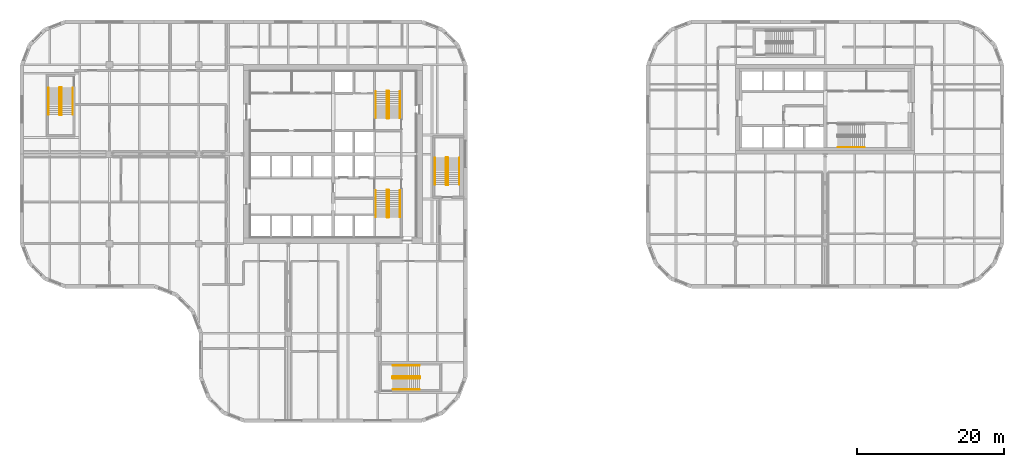
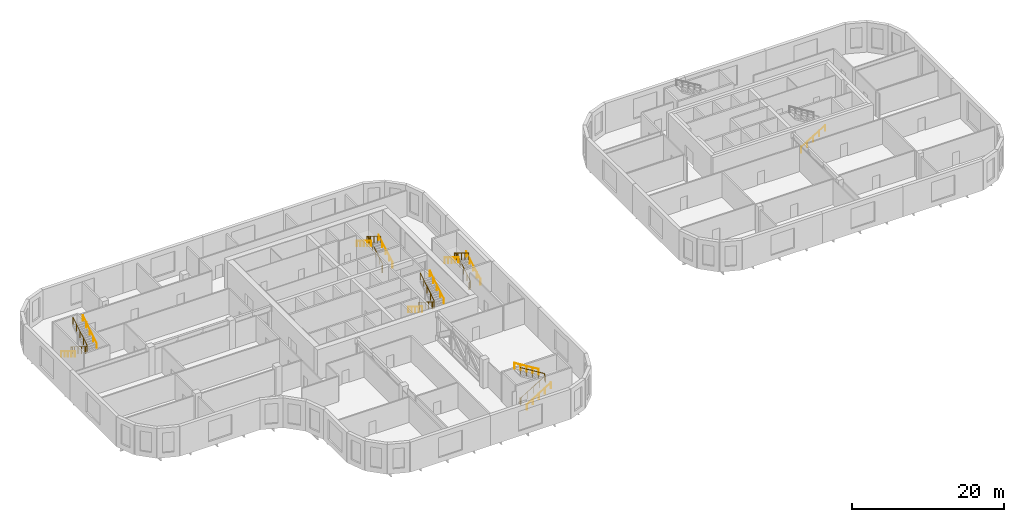
# One storey, part 20 of 21: 16 railings.
"""IFC4 building model written with IfcOpenShell, lengths in metres."""

from ifc_helpers import new_model, si_unit, direction, frame, origin, origin_2d, place, context, subcontext, project, spatial, circle, extrude, material, type_object, element, save


model = new_model("IFC4")

# Units and contexts
model_context = context("Model", 3, precision=1e-05, world=origin(), true_north=direction((0.0, 1.0)))
body_context = subcontext(model_context, "Body", "Model", "MODEL_VIEW")
ifc_project = project(units=[si_unit("LENGTHUNIT", "METRE"), si_unit("AREAUNIT", "SQUARE_METRE"), si_unit("VOLUMEUNIT", "CUBIC_METRE"), si_unit("PLANEANGLEUNIT", "RADIAN"), si_unit("MASSUNIT", "GRAM", prefix="KILO")], contexts=[model_context])

# Site, building, storey
site_placement = place(None, origin())
site = spatial("IfcSite", under=ifc_project, at=site_placement, CompositionType="ELEMENT")
building_placement = place(site_placement, origin())
building = spatial("IfcBuilding", under=site, at=building_placement, Name="Tessera Gate Towers", CompositionType="ELEMENT")
storey_placement = place(building_placement, frame((0.0, 0.0, 63.800048828125)))
storey = spatial("IfcBuildingStorey", under=building, at=storey_placement, Name="L15", CompositionType="ELEMENT", Elevation=63.800048828125)

# Railings
ifc_material_1 = material(Name="Steel 350W", Category="steel")
railing_type_1 = type_object("IfcRailingType", Name="STAIR GUARD 1100", PredefinedType="GUARDRAIL", material=ifc_material_1)
railing_1_placement = place(storey_placement, frame((50.27490234375, 31.72509765625, 0.0)))
element("IfcRailing", 1, at=railing_1_placement, inside=storey, type_object=railing_type_1, Name="L15 ST1 stair guard 1", PredefinedType="GUARDRAIL", context=body_context, shape_type="SweptSolid", body=[
    extrude(circle(Radius=0.02392578125, at=origin_2d()), frame((0.0, 0.0, 1.076171875), z_axis=(-1.0, 0.0, 0.0), x_axis=(0.0, -1.0, 0.0)), (0.0, 0.0, 1.0), 0.199951171875),
    extrude(circle(Radius=0.02392578125, at=origin_2d()), frame((-0.199951171875, 0.0, 1.076171875), z_axis=(-0.269911200495, -0.269911200495, 0.924281281696), x_axis=(0.707106781187, -0.707106781187, 0.0)), (0.0, 0.0, 1.0), 0.185546875),
    extrude(circle(Radius=0.02392578125, at=origin_2d()), frame((-0.25, -0.050048828125, 1.24755859375), z_axis=(0.0, -0.852865859571, 0.52213008492), x_axis=(1.0, 0.0, 0.0)), (0.0, 0.0, 1.0), 4.26806640625),
    extrude(circle(Radius=0.02392578125, at=origin_2d()), frame((-0.25, -3.690185546875, 3.47607421875), z_axis=(0.708833529934, -0.705375805398, 0.0), x_axis=(0.705375805398, 0.708833529934, 0.0)), (0.0, 0.0, 1.0), 0.070556640625),
    extrude(circle(Radius=0.02392578125, at=origin_2d()), frame((-0.199951171875, -3.739990234375, 3.47607421875), z_axis=(1.0, 0.0, 0.0), x_axis=(0.0, 1.0, 0.0)), (0.0, 0.0, 1.0), 0.199951171875),
    extrude(circle(Radius=0.02392578125, at=origin_2d()), frame((0.0, -3.739990234375, 3.47607421875), z_axis=(0.270006937388, 0.268689830376, 0.924609122178), x_axis=(-0.705375805398, 0.708833529934, 0.0)), (0.0, 0.0, 1.0), 0.185302734375),
    extrude(circle(Radius=0.02392578125, at=origin_2d()), frame((0.050048828125, -3.690185546875, 3.6474609375), z_axis=(0.0, 0.852840387347, 0.522171689878), x_axis=(-1.0, 0.0, 0.0)), (0.0, 0.0, 1.0), 4.268310546875),
    extrude(circle(Radius=0.02099609375, at=origin_2d()), origin(), (0.0, 0.0, 1.0), 1.052001953125),
    extrude(circle(Radius=0.02099609375, at=origin_2d()), frame((-0.199951171875, 0.0, 0.0)), (0.0, 0.0, 1.0), 1.052001953125),
    extrude(circle(Radius=0.02099609375, at=origin_2d()), frame((-0.25, -0.050048828125, 0.17138671875)), (0.0, 0.0, 1.0), 1.052001953125),
    extrude(circle(Radius=0.02099609375, at=origin_2d()), frame((-0.25, -0.9599609375, 0.728515625)), (0.0, 0.0, 1.0), 1.052001953125),
    extrude(circle(Radius=0.02099609375, at=origin_2d()), frame((-0.25, -1.8701171875, 1.28564453125)), (0.0, 0.0, 1.0), 1.052001953125),
    extrude(circle(Radius=0.02099609375, at=origin_2d()), frame((-0.25, -2.7802734375, 1.8427734375)), (0.0, 0.0, 1.0), 1.052001953125),
    extrude(circle(Radius=0.02099609375, at=origin_2d()), frame((-0.25, -3.690185546875, 2.39990234375)), (0.0, 0.0, 1.0), 1.052001953125),
    extrude(circle(Radius=0.02099609375, at=origin_2d()), frame((-0.199951171875, -3.739990234375, 2.39990234375)), (0.0, 0.0, 1.0), 1.052001953125),
    extrude(circle(Radius=0.02099609375, at=origin_2d()), frame((0.0, -3.739990234375, 2.39990234375)), (0.0, 0.0, 1.0), 1.052001953125),
    extrude(circle(Radius=0.02099609375, at=origin_2d()), frame((0.050048828125, -3.690185546875, 2.5712890625)), (0.0, 0.0, 1.0), 1.052001953125),
    extrude(circle(Radius=0.02099609375, at=origin_2d()), frame((0.050048828125, -2.7802734375, 3.12841796875)), (0.0, 0.0, 1.0), 1.052001953125),
    extrude(circle(Radius=0.02099609375, at=origin_2d()), frame((0.050048828125, -1.8701171875, 3.685546875)), (0.0, 0.0, 1.0), 1.052001953125),
    extrude(circle(Radius=0.02099609375, at=origin_2d()), frame((0.050048828125, -0.9599609375, 4.242919921875)), (0.0, 0.0, 1.0), 1.052001953125),
    extrude(circle(Radius=0.02099609375, at=origin_2d()), frame((0.050048828125, -0.050048828125, 4.800048828125)), (0.0, 0.0, 1.0), 1.052001953125),
])
railing_2_placement = place(storey_placement, frame((50.074951171875, 41.47509765625, 0.0)))
element("IfcRailing", 2, at=railing_2_placement, inside=storey, type_object=railing_type_1, Name="L15 ST2 stair guard 1", PredefinedType="GUARDRAIL", context=body_context, shape_type="SweptSolid", body=[
    extrude(circle(Radius=0.02392578125, at=origin_2d()), frame((0.0, 0.0, 1.076171875), z_axis=(1.0, 0.0, 0.0), x_axis=(0.0, 1.0, 0.0)), (0.0, 0.0, 1.0), 0.199951171875),
    extrude(circle(Radius=0.02392578125, at=origin_2d()), frame((0.199951171875, 0.0, 1.076171875), z_axis=(0.270006937388, 0.268689830376, 0.924609122178), x_axis=(-0.705375805398, 0.708833529934, 0.0)), (0.0, 0.0, 1.0), 0.185302734375),
    extrude(circle(Radius=0.02392578125, at=origin_2d()), frame((0.25, 0.0498046875, 1.24755859375), z_axis=(0.0, 0.852865859571, 0.52213008492), x_axis=(-1.0, 0.0, 0.0)), (0.0, 0.0, 1.0), 4.26806640625),
    extrude(circle(Radius=0.02392578125, at=origin_2d()), frame((0.25, 3.68994140625, 3.47607421875), z_axis=(-0.707106781187, 0.707106781187, 0.0), x_axis=(-0.707106781187, -0.707106781187, 0.0)), (0.0, 0.0, 1.0), 0.07080078125),
    extrude(circle(Radius=0.02392578125, at=origin_2d()), frame((0.199951171875, 3.739990234375, 3.47607421875), z_axis=(-1.0, 0.0, 0.0), x_axis=(0.0, -1.0, 0.0)), (0.0, 0.0, 1.0), 0.199951171875),
    extrude(circle(Radius=0.02392578125, at=origin_2d()), frame((0.0, 3.739990234375, 3.47607421875), z_axis=(-0.269911200495, -0.269911200495, 0.924281281696), x_axis=(0.707106781187, -0.707106781187, 0.0)), (0.0, 0.0, 1.0), 0.185546875),
    extrude(circle(Radius=0.02392578125, at=origin_2d()), frame((-0.050048828125, 3.68994140625, 3.6474609375), z_axis=(0.0, -0.852840387347, 0.522171689878), x_axis=(1.0, 0.0, 0.0)), (0.0, 0.0, 1.0), 4.268310546875),
    extrude(circle(Radius=0.02099609375, at=origin_2d()), origin(), (0.0, 0.0, 1.0), 1.052001953125),
    extrude(circle(Radius=0.02099609375, at=origin_2d()), frame((0.199951171875, 0.0, 0.0)), (0.0, 0.0, 1.0), 1.052001953125),
    extrude(circle(Radius=0.02099609375, at=origin_2d()), frame((0.25, 0.0498046875, 0.17138671875)), (0.0, 0.0, 1.0), 1.052001953125),
    extrude(circle(Radius=0.02099609375, at=origin_2d()), frame((0.25, 0.9599609375, 0.728515625)), (0.0, 0.0, 1.0), 1.052001953125),
    extrude(circle(Radius=0.02099609375, at=origin_2d()), frame((0.25, 1.869873046875, 1.28564453125)), (0.0, 0.0, 1.0), 1.052001953125),
    extrude(circle(Radius=0.02099609375, at=origin_2d()), frame((0.25, 2.77978515625, 1.8427734375)), (0.0, 0.0, 1.0), 1.052001953125),
    extrude(circle(Radius=0.02099609375, at=origin_2d()), frame((0.25, 3.68994140625, 2.39990234375)), (0.0, 0.0, 1.0), 1.052001953125),
    extrude(circle(Radius=0.02099609375, at=origin_2d()), frame((0.199951171875, 3.739990234375, 2.39990234375)), (0.0, 0.0, 1.0), 1.052001953125),
    extrude(circle(Radius=0.02099609375, at=origin_2d()), frame((0.0, 3.739990234375, 2.39990234375)), (0.0, 0.0, 1.0), 1.052001953125),
    extrude(circle(Radius=0.02099609375, at=origin_2d()), frame((-0.050048828125, 3.68994140625, 2.5712890625)), (0.0, 0.0, 1.0), 1.052001953125),
    extrude(circle(Radius=0.02099609375, at=origin_2d()), frame((-0.050048828125, 2.77978515625, 3.12841796875)), (0.0, 0.0, 1.0), 1.052001953125),
    extrude(circle(Radius=0.02099609375, at=origin_2d()), frame((-0.050048828125, 1.869873046875, 3.685546875)), (0.0, 0.0, 1.0), 1.052001953125),
    extrude(circle(Radius=0.02099609375, at=origin_2d()), frame((-0.050048828125, 0.9599609375, 4.242919921875)), (0.0, 0.0, 1.0), 1.052001953125),
    extrude(circle(Radius=0.02099609375, at=origin_2d()), frame((-0.050048828125, 0.0498046875, 4.800048828125)), (0.0, 0.0, 1.0), 1.052001953125),
])
railing_3_placement = place(storey_placement, frame((5.64990234375, 45.699951171875, 0.0)))
element("IfcRailing", 3, at=railing_3_placement, inside=storey, type_object=railing_type_1, Name="L15 ST3 stair guard 1", PredefinedType="GUARDRAIL", context=body_context, shape_type="SweptSolid", body=[
    extrude(circle(Radius=0.02392578125, at=origin_2d()), frame((0.0, 0.0, 1.076171875), z_axis=(-1.0, 0.0, 0.0), x_axis=(0.0, -1.0, 0.0)), (0.0, 0.0, 1.0), 0.199951171875),
    extrude(circle(Radius=0.02392578125, at=origin_2d()), frame((-0.199951171875, 0.0, 1.076171875), z_axis=(-0.269911200495, -0.269911200495, 0.924281281696), x_axis=(0.707106781187, -0.707106781187, 0.0)), (0.0, 0.0, 1.0), 0.185546875),
    extrude(circle(Radius=0.02392578125, at=origin_2d()), frame((-0.25, -0.050048828125, 1.24755859375), z_axis=(0.0, -0.852850264322, 0.5221555579), x_axis=(1.0, 0.0, 0.0)), (0.0, 0.0, 1.0), 4.267822265625),
    extrude(circle(Radius=0.02392578125, at=origin_2d()), frame((-0.25, -3.68994140625, 3.47607421875), z_axis=(0.707106781187, -0.707106781187, 0.0), x_axis=(0.707106781187, 0.707106781187, 0.0)), (0.0, 0.0, 1.0), 0.07080078125),
    extrude(circle(Radius=0.02392578125, at=origin_2d()), frame((-0.199951171875, -3.739990234375, 3.47607421875), z_axis=(1.0, 0.0, 0.0), x_axis=(0.0, 1.0, 0.0)), (0.0, 0.0, 1.0), 0.199951171875),
    extrude(circle(Radius=0.02392578125, at=origin_2d()), frame((0.0, -3.739990234375, 3.47607421875), z_axis=(0.269911200495, 0.269911200495, 0.924281281696), x_axis=(-0.707106781187, 0.707106781187, 0.0)), (0.0, 0.0, 1.0), 0.185546875),
    extrude(circle(Radius=0.02392578125, at=origin_2d()), frame((0.050048828125, -3.68994140625, 3.6474609375), z_axis=(0.0, 0.852824790078, 0.522197163366), x_axis=(-1.0, 0.0, 0.0)), (0.0, 0.0, 1.0), 4.26806640625),
    extrude(circle(Radius=0.02099609375, at=origin_2d()), origin(), (0.0, 0.0, 1.0), 1.052001953125),
    extrude(circle(Radius=0.02099609375, at=origin_2d()), frame((-0.199951171875, 0.0, 0.0)), (0.0, 0.0, 1.0), 1.052001953125),
    extrude(circle(Radius=0.02099609375, at=origin_2d()), frame((-0.25, -0.050048828125, 0.17138671875)), (0.0, 0.0, 1.0), 1.052001953125),
    extrude(circle(Radius=0.02099609375, at=origin_2d()), frame((-0.25, -0.9599609375, 0.728515625)), (0.0, 0.0, 1.0), 1.052001953125),
    extrude(circle(Radius=0.02099609375, at=origin_2d()), frame((-0.25, -1.8701171875, 1.28564453125)), (0.0, 0.0, 1.0), 1.052001953125),
    extrude(circle(Radius=0.02099609375, at=origin_2d()), frame((-0.25, -2.780029296875, 1.8427734375)), (0.0, 0.0, 1.0), 1.052001953125),
    extrude(circle(Radius=0.02099609375, at=origin_2d()), frame((-0.25, -3.68994140625, 2.39990234375)), (0.0, 0.0, 1.0), 1.052001953125),
    extrude(circle(Radius=0.02099609375, at=origin_2d()), frame((-0.199951171875, -3.739990234375, 2.39990234375)), (0.0, 0.0, 1.0), 1.052001953125),
    extrude(circle(Radius=0.02099609375, at=origin_2d()), frame((0.0, -3.739990234375, 2.39990234375)), (0.0, 0.0, 1.0), 1.052001953125),
    extrude(circle(Radius=0.02099609375, at=origin_2d()), frame((0.050048828125, -3.68994140625, 2.5712890625)), (0.0, 0.0, 1.0), 1.052001953125),
    extrude(circle(Radius=0.02099609375, at=origin_2d()), frame((0.050048828125, -2.780029296875, 3.12841796875)), (0.0, 0.0, 1.0), 1.052001953125),
    extrude(circle(Radius=0.02099609375, at=origin_2d()), frame((0.050048828125, -1.8701171875, 3.685546875)), (0.0, 0.0, 1.0), 1.052001953125),
    extrude(circle(Radius=0.02099609375, at=origin_2d()), frame((0.050048828125, -0.9599609375, 4.242919921875)), (0.0, 0.0, 1.0), 1.052001953125),
    extrude(circle(Radius=0.02099609375, at=origin_2d()), frame((0.050048828125, -0.050048828125, 4.800048828125)), (0.0, 0.0, 1.0), 1.052001953125),
])
railing_4_placement = place(storey_placement, frame((50.800048828125, 6.25, 0.0)))
element("IfcRailing", 4, at=railing_4_placement, inside=storey, type_object=railing_type_1, Name="L15 ST4 stair guard 1", PredefinedType="GUARDRAIL", context=body_context, shape_type="SweptSolid", body=[
    extrude(circle(Radius=0.02392578125, at=origin_2d()), frame((0.0, 0.0, 1.076171875), z_axis=(0.0, -1.0, 0.0), x_axis=(1.0, 0.0, 0.0)), (0.0, 0.0, 1.0), 0.199951171875),
    extrude(circle(Radius=0.02392578125, at=origin_2d()), frame((0.0, -0.199951171875, 1.076171875), z_axis=(0.269911200495, -0.269911200495, 0.924281281696), x_axis=(0.707106781187, 0.707106781187, 0.0)), (0.0, 0.0, 1.0), 0.185546875),
    extrude(circle(Radius=0.02392578125, at=origin_2d()), frame((0.050048828125, -0.25, 1.24755859375), z_axis=(0.852850264322, 0.0, 0.5221555579), x_axis=(0.0, 1.0, 0.0)), (0.0, 0.0, 1.0), 4.267822265625),
    extrude(circle(Radius=0.02392578125, at=origin_2d()), frame((3.68994140625, -0.25, 3.47607421875), z_axis=(0.707106781187, 0.707106781187, 0.0), x_axis=(-0.707106781187, 0.707106781187, 0.0)), (0.0, 0.0, 1.0), 0.07080078125),
    extrude(circle(Radius=0.02392578125, at=origin_2d()), frame((3.739990234375, -0.199951171875, 3.47607421875), z_axis=(0.0, 1.0, 0.0), x_axis=(-1.0, 0.0, 0.0)), (0.0, 0.0, 1.0), 0.199951171875),
    extrude(circle(Radius=0.02392578125, at=origin_2d()), frame((3.739990234375, 0.0, 3.47607421875), z_axis=(-0.269911200495, 0.269911200495, 0.924281281696), x_axis=(-0.707106781187, -0.707106781187, 0.0)), (0.0, 0.0, 1.0), 0.185546875),
    extrude(circle(Radius=0.02392578125, at=origin_2d()), frame((3.68994140625, 0.050048828125, 3.6474609375), z_axis=(-0.852824790078, 0.0, 0.522197163366), x_axis=(0.0, -1.0, 0.0)), (0.0, 0.0, 1.0), 4.26806640625),
    extrude(circle(Radius=0.02099609375, at=origin_2d()), origin(), (0.0, 0.0, 1.0), 1.052001953125),
    extrude(circle(Radius=0.02099609375, at=origin_2d()), frame((0.0, -0.199951171875, 0.0)), (0.0, 0.0, 1.0), 1.052001953125),
    extrude(circle(Radius=0.02099609375, at=origin_2d()), frame((0.050048828125, -0.25, 0.17138671875)), (0.0, 0.0, 1.0), 1.052001953125),
    extrude(circle(Radius=0.02099609375, at=origin_2d()), frame((0.9599609375, -0.25, 0.728515625)), (0.0, 0.0, 1.0), 1.052001953125),
    extrude(circle(Radius=0.02099609375, at=origin_2d()), frame((1.8701171875, -0.25, 1.28564453125)), (0.0, 0.0, 1.0), 1.052001953125),
    extrude(circle(Radius=0.02099609375, at=origin_2d()), frame((2.780029296875, -0.25, 1.8427734375)), (0.0, 0.0, 1.0), 1.052001953125),
    extrude(circle(Radius=0.02099609375, at=origin_2d()), frame((3.68994140625, -0.25, 2.39990234375)), (0.0, 0.0, 1.0), 1.052001953125),
    extrude(circle(Radius=0.02099609375, at=origin_2d()), frame((3.739990234375, -0.199951171875, 2.39990234375)), (0.0, 0.0, 1.0), 1.052001953125),
    extrude(circle(Radius=0.02099609375, at=origin_2d()), frame((3.739990234375, 0.0, 2.39990234375)), (0.0, 0.0, 1.0), 1.052001953125),
    extrude(circle(Radius=0.02099609375, at=origin_2d()), frame((3.68994140625, 0.050048828125, 2.5712890625)), (0.0, 0.0, 1.0), 1.052001953125),
    extrude(circle(Radius=0.02099609375, at=origin_2d()), frame((2.780029296875, 0.050048828125, 3.12841796875)), (0.0, 0.0, 1.0), 1.052001953125),
    extrude(circle(Radius=0.02099609375, at=origin_2d()), frame((1.8701171875, 0.050048828125, 3.685546875)), (0.0, 0.0, 1.0), 1.052001953125),
    extrude(circle(Radius=0.02099609375, at=origin_2d()), frame((0.9599609375, 0.050048828125, 4.242919921875)), (0.0, 0.0, 1.0), 1.052001953125),
    extrude(circle(Radius=0.02099609375, at=origin_2d()), frame((0.050048828125, 0.050048828125, 4.800048828125)), (0.0, 0.0, 1.0), 1.052001953125),
])
railing_5_placement = place(storey_placement, frame((58.14990234375, 32.39990234375, 0.0)))
element("IfcRailing", 5, at=railing_5_placement, inside=storey, type_object=railing_type_1, Name="L15 ST5 stair guard 1", PredefinedType="GUARDRAIL", context=body_context, shape_type="SweptSolid", body=[
    extrude(circle(Radius=0.02392578125, at=origin_2d()), frame((0.0, 0.0, 1.076171875), z_axis=(1.0, 0.0, 0.0), x_axis=(0.0, 1.0, 0.0)), (0.0, 0.0, 1.0), 0.2001953125),
    extrude(circle(Radius=0.02392578125, at=origin_2d()), frame((0.2001953125, 0.0, 1.076171875), z_axis=(0.268689830376, 0.270006937388, 0.924609122178), x_axis=(-0.708833529934, 0.705375805398, 0.0)), (0.0, 0.0, 1.0), 0.185302734375),
    extrude(circle(Radius=0.02392578125, at=origin_2d()), frame((0.25, 0.050048828125, 1.24755859375), z_axis=(0.0, 0.852865859571, 0.52213008492), x_axis=(-1.0, 0.0, 0.0)), (0.0, 0.0, 1.0), 4.26806640625),
    extrude(circle(Radius=0.02392578125, at=origin_2d()), frame((0.25, 3.690185546875, 3.47607421875), z_axis=(-0.707106781187, 0.707106781187, 0.0), x_axis=(-0.707106781187, -0.707106781187, 0.0)), (0.0, 0.0, 1.0), 0.0703125),
    extrude(circle(Radius=0.02392578125, at=origin_2d()), frame((0.2001953125, 3.739990234375, 3.47607421875), z_axis=(-1.0, 0.0, 0.0), x_axis=(0.0, -1.0, 0.0)), (0.0, 0.0, 1.0), 0.2001953125),
    extrude(circle(Radius=0.02392578125, at=origin_2d()), frame((0.0, 3.739990234375, 3.47607421875), z_axis=(-0.268785201708, -0.268785201708, 0.92493731176), x_axis=(0.707106781187, -0.707106781187, 0.0)), (0.0, 0.0, 1.0), 0.185302734375),
    extrude(circle(Radius=0.02392578125, at=origin_2d()), frame((-0.0498046875, 3.690185546875, 3.6474609375), z_axis=(0.0, -0.852840387347, 0.522171689878), x_axis=(1.0, 0.0, 0.0)), (0.0, 0.0, 1.0), 4.268310546875),
    extrude(circle(Radius=0.02099609375, at=origin_2d()), origin(), (0.0, 0.0, 1.0), 1.052001953125),
    extrude(circle(Radius=0.02099609375, at=origin_2d()), frame((0.2001953125, 0.0, 0.0)), (0.0, 0.0, 1.0), 1.052001953125),
    extrude(circle(Radius=0.02099609375, at=origin_2d()), frame((0.25, 0.050048828125, 0.17138671875)), (0.0, 0.0, 1.0), 1.052001953125),
    extrude(circle(Radius=0.02099609375, at=origin_2d()), frame((0.25, 0.9599609375, 0.728515625)), (0.0, 0.0, 1.0), 1.052001953125),
    extrude(circle(Radius=0.02099609375, at=origin_2d()), frame((0.25, 1.8701171875, 1.28564453125)), (0.0, 0.0, 1.0), 1.052001953125),
    extrude(circle(Radius=0.02099609375, at=origin_2d()), frame((0.25, 2.7802734375, 1.8427734375)), (0.0, 0.0, 1.0), 1.052001953125),
    extrude(circle(Radius=0.02099609375, at=origin_2d()), frame((0.25, 3.690185546875, 2.39990234375)), (0.0, 0.0, 1.0), 1.052001953125),
    extrude(circle(Radius=0.02099609375, at=origin_2d()), frame((0.2001953125, 3.739990234375, 2.39990234375)), (0.0, 0.0, 1.0), 1.052001953125),
    extrude(circle(Radius=0.02099609375, at=origin_2d()), frame((0.0, 3.739990234375, 2.39990234375)), (0.0, 0.0, 1.0), 1.052001953125),
    extrude(circle(Radius=0.02099609375, at=origin_2d()), frame((-0.0498046875, 3.690185546875, 2.5712890625)), (0.0, 0.0, 1.0), 1.052001953125),
    extrude(circle(Radius=0.02099609375, at=origin_2d()), frame((-0.0498046875, 2.7802734375, 3.12841796875)), (0.0, 0.0, 1.0), 1.052001953125),
    extrude(circle(Radius=0.02099609375, at=origin_2d()), frame((-0.0498046875, 1.8701171875, 3.685546875)), (0.0, 0.0, 1.0), 1.052001953125),
    extrude(circle(Radius=0.02099609375, at=origin_2d()), frame((-0.0498046875, 0.9599609375, 4.242919921875)), (0.0, 0.0, 1.0), 1.052001953125),
    extrude(circle(Radius=0.02099609375, at=origin_2d()), frame((-0.0498046875, 0.050048828125, 4.800048828125)), (0.0, 0.0, 1.0), 1.052001953125),
])
ifc_material_2 = material(Name="Steel 350W", Category="steel")
railing_type_2 = type_object("IfcRailingType", Name="STAIR HANDRAIL 900", PredefinedType="HANDRAIL", material=ifc_material_2)
railing_6_placement = place(storey_placement, frame((48.52490234375, 31.675048828125, 0.17138671875)))
element("IfcRailing", 6, at=railing_6_placement, inside=storey, type_object=railing_type_2, Name="L15 ST1 stair handrail 1", PredefinedType="HANDRAIL", context=body_context, shape_type="SweptSolid", body=[
    extrude(circle(Radius=0.02392578125, at=origin_2d()), frame((0.0, 0.0, 0.8759765625), z_axis=(0.0, -0.852865859571, 0.52213008492), x_axis=(1.0, 0.0, 0.0)), (0.0, 0.0, 1.0), 4.26806640625),
    extrude(circle(Radius=0.02099609375, at=origin_2d()), origin(), (0.0, 0.0, 1.0), 0.851806640625),
    extrude(circle(Radius=0.02099609375, at=origin_2d()), frame((0.0, -0.91015625, 0.55712890625)), (0.0, 0.0, 1.0), 0.851806640625),
    extrude(circle(Radius=0.02099609375, at=origin_2d()), frame((0.0, -1.820068359375, 1.1142578125)), (0.0, 0.0, 1.0), 0.851806640625),
    extrude(circle(Radius=0.02099609375, at=origin_2d()), frame((0.0, -2.72998046875, 1.67138671875)), (0.0, 0.0, 1.0), 0.851806640625),
    extrude(circle(Radius=0.02099609375, at=origin_2d()), frame((0.0, -3.64013671875, 2.228515625)), (0.0, 0.0, 1.0), 0.851806640625),
])
railing_7_placement = place(storey_placement, frame((51.824951171875, 28.034912109375, 2.5712890625)))
element("IfcRailing", 7, at=railing_7_placement, inside=storey, type_object=railing_type_2, Name="L15 ST1 stair handrail 2", PredefinedType="HANDRAIL", context=body_context, shape_type="SweptSolid", body=[
    extrude(circle(Radius=0.02392578125, at=origin_2d()), frame((0.0, 0.0, 0.8759765625), z_axis=(0.0, 0.852840387347, 0.522171689878), x_axis=(-1.0, 0.0, 0.0)), (0.0, 0.0, 1.0), 4.268310546875),
    extrude(circle(Radius=0.02099609375, at=origin_2d()), origin(), (0.0, 0.0, 1.0), 0.851806640625),
    extrude(circle(Radius=0.02099609375, at=origin_2d()), frame((0.0, 0.91015625, 0.55712890625)), (0.0, 0.0, 1.0), 0.851806640625),
    extrude(circle(Radius=0.02099609375, at=origin_2d()), frame((0.0, 1.820068359375, 1.1142578125)), (0.0, 0.0, 1.0), 0.851806640625),
    extrude(circle(Radius=0.02099609375, at=origin_2d()), frame((0.0, 2.72998046875, 1.671630859375)), (0.0, 0.0, 1.0), 0.851806640625),
    extrude(circle(Radius=0.02099609375, at=origin_2d()), frame((0.0, 3.64013671875, 2.228759765625)), (0.0, 0.0, 1.0), 0.851806640625),
])
railing_8_placement = place(storey_placement, frame((51.824951171875, 41.52490234375, 0.17138671875)))
element("IfcRailing", 8, at=railing_8_placement, inside=storey, type_object=railing_type_2, Name="L15 ST2 stair handrail 1", PredefinedType="HANDRAIL", context=body_context, shape_type="SweptSolid", body=[
    extrude(circle(Radius=0.02392578125, at=origin_2d()), frame((0.0, 0.0, 0.8759765625), z_axis=(0.0, 0.852865859571, 0.52213008492), x_axis=(-1.0, 0.0, 0.0)), (0.0, 0.0, 1.0), 4.26806640625),
    extrude(circle(Radius=0.02099609375, at=origin_2d()), origin(), (0.0, 0.0, 1.0), 0.851806640625),
    extrude(circle(Radius=0.02099609375, at=origin_2d()), frame((0.0, 0.91015625, 0.55712890625)), (0.0, 0.0, 1.0), 0.851806640625),
    extrude(circle(Radius=0.02099609375, at=origin_2d()), frame((0.0, 1.820068359375, 1.1142578125)), (0.0, 0.0, 1.0), 0.851806640625),
    extrude(circle(Radius=0.02099609375, at=origin_2d()), frame((0.0, 2.72998046875, 1.67138671875)), (0.0, 0.0, 1.0), 0.851806640625),
    extrude(circle(Radius=0.02099609375, at=origin_2d()), frame((0.0, 3.64013671875, 2.228515625)), (0.0, 0.0, 1.0), 0.851806640625),
])
railing_9_placement = place(storey_placement, frame((48.52490234375, 45.1650390625, 2.5712890625)))
element("IfcRailing", 9, at=railing_9_placement, inside=storey, type_object=railing_type_2, Name="L15 ST2 stair handrail 2", PredefinedType="HANDRAIL", context=body_context, shape_type="SweptSolid", body=[
    extrude(circle(Radius=0.02392578125, at=origin_2d()), frame((0.0, 0.0, 0.8759765625), z_axis=(0.0, -0.852840387347, 0.522171689878), x_axis=(1.0, 0.0, 0.0)), (0.0, 0.0, 1.0), 4.268310546875),
    extrude(circle(Radius=0.02099609375, at=origin_2d()), origin(), (0.0, 0.0, 1.0), 0.851806640625),
    extrude(circle(Radius=0.02099609375, at=origin_2d()), frame((0.0, -0.91015625, 0.55712890625)), (0.0, 0.0, 1.0), 0.851806640625),
    extrude(circle(Radius=0.02099609375, at=origin_2d()), frame((0.0, -1.820068359375, 1.1142578125)), (0.0, 0.0, 1.0), 0.851806640625),
    extrude(circle(Radius=0.02099609375, at=origin_2d()), frame((0.0, -2.72998046875, 1.671630859375)), (0.0, 0.0, 1.0), 0.851806640625),
    extrude(circle(Radius=0.02099609375, at=origin_2d()), frame((0.0, -3.64013671875, 2.228759765625)), (0.0, 0.0, 1.0), 0.851806640625),
])
railing_10_placement = place(storey_placement, frame((3.89990234375, 45.64990234375, 0.17138671875)))
element("IfcRailing", 10, at=railing_10_placement, inside=storey, type_object=railing_type_2, Name="L15 ST3 stair handrail 1", PredefinedType="HANDRAIL", context=body_context, shape_type="SweptSolid", body=[
    extrude(circle(Radius=0.02392578125, at=origin_2d()), frame((0.0, 0.0, 0.8759765625), z_axis=(0.0, -0.852850264322, 0.5221555579), x_axis=(1.0, 0.0, 0.0)), (0.0, 0.0, 1.0), 4.267822265625),
    extrude(circle(Radius=0.02099609375, at=origin_2d()), origin(), (0.0, 0.0, 1.0), 0.851806640625),
    extrude(circle(Radius=0.02099609375, at=origin_2d()), frame((0.0, -0.909912109375, 0.55712890625)), (0.0, 0.0, 1.0), 0.851806640625),
    extrude(circle(Radius=0.02099609375, at=origin_2d()), frame((0.0, -1.81982421875, 1.1142578125)), (0.0, 0.0, 1.0), 0.851806640625),
    extrude(circle(Radius=0.02099609375, at=origin_2d()), frame((0.0, -2.72998046875, 1.67138671875)), (0.0, 0.0, 1.0), 0.851806640625),
    extrude(circle(Radius=0.02099609375, at=origin_2d()), frame((0.0, -3.639892578125, 2.228515625)), (0.0, 0.0, 1.0), 0.851806640625),
])
railing_11_placement = place(storey_placement, frame((7.199951171875, 42.010009765625, 2.5712890625)))
element("IfcRailing", 11, at=railing_11_placement, inside=storey, type_object=railing_type_2, Name="L15 ST3 stair handrail 2", PredefinedType="HANDRAIL", context=body_context, shape_type="SweptSolid", body=[
    extrude(circle(Radius=0.02392578125, at=origin_2d()), frame((0.0, 0.0, 0.8759765625), z_axis=(0.0, 0.852824790078, 0.522197163366), x_axis=(-1.0, 0.0, 0.0)), (0.0, 0.0, 1.0), 4.26806640625),
    extrude(circle(Radius=0.02099609375, at=origin_2d()), origin(), (0.0, 0.0, 1.0), 0.851806640625),
    extrude(circle(Radius=0.02099609375, at=origin_2d()), frame((0.0, 0.909912109375, 0.55712890625)), (0.0, 0.0, 1.0), 0.851806640625),
    extrude(circle(Radius=0.02099609375, at=origin_2d()), frame((0.0, 1.81982421875, 1.1142578125)), (0.0, 0.0, 1.0), 0.851806640625),
    extrude(circle(Radius=0.02099609375, at=origin_2d()), frame((0.0, 2.72998046875, 1.671630859375)), (0.0, 0.0, 1.0), 0.851806640625),
    extrude(circle(Radius=0.02099609375, at=origin_2d()), frame((0.0, 3.639892578125, 2.228759765625)), (0.0, 0.0, 1.0), 0.851806640625),
])
railing_12_placement = place(storey_placement, frame((50.85009765625, 4.5, 0.17138671875)))
element("IfcRailing", 12, at=railing_12_placement, inside=storey, type_object=railing_type_2, Name="L15 ST4 stair handrail 1", PredefinedType="HANDRAIL", context=body_context, shape_type="SweptSolid", body=[
    extrude(circle(Radius=0.02392578125, at=origin_2d()), frame((0.0, 0.0, 0.8759765625), z_axis=(0.852850264322, 0.0, 0.5221555579), x_axis=(0.0, 1.0, 0.0)), (0.0, 0.0, 1.0), 4.267822265625),
    extrude(circle(Radius=0.02099609375, at=origin_2d()), origin(), (0.0, 0.0, 1.0), 0.851806640625),
    extrude(circle(Radius=0.02099609375, at=origin_2d()), frame((0.909912109375, 0.0, 0.55712890625)), (0.0, 0.0, 1.0), 0.851806640625),
    extrude(circle(Radius=0.02099609375, at=origin_2d()), frame((1.81982421875, 0.0, 1.1142578125)), (0.0, 0.0, 1.0), 0.851806640625),
    extrude(circle(Radius=0.02099609375, at=origin_2d()), frame((2.72998046875, 0.0, 1.67138671875)), (0.0, 0.0, 1.0), 0.851806640625),
    extrude(circle(Radius=0.02099609375, at=origin_2d()), frame((3.639892578125, 0.0, 2.228515625)), (0.0, 0.0, 1.0), 0.851806640625),
])
railing_13_placement = place(storey_placement, frame((54.489990234375, 7.800048828125, 2.5712890625)))
element("IfcRailing", 13, at=railing_13_placement, inside=storey, type_object=railing_type_2, Name="L15 ST4 stair handrail 2", PredefinedType="HANDRAIL", context=body_context, shape_type="SweptSolid", body=[
    extrude(circle(Radius=0.02392578125, at=origin_2d()), frame((0.0, 0.0, 0.8759765625), z_axis=(-0.852824790078, 0.0, 0.522197163366), x_axis=(0.0, -1.0, 0.0)), (0.0, 0.0, 1.0), 4.26806640625),
    extrude(circle(Radius=0.02099609375, at=origin_2d()), origin(), (0.0, 0.0, 1.0), 0.851806640625),
    extrude(circle(Radius=0.02099609375, at=origin_2d()), frame((-0.909912109375, 0.0, 0.55712890625)), (0.0, 0.0, 1.0), 0.851806640625),
    extrude(circle(Radius=0.02099609375, at=origin_2d()), frame((-1.81982421875, 0.0, 1.1142578125)), (0.0, 0.0, 1.0), 0.851806640625),
    extrude(circle(Radius=0.02099609375, at=origin_2d()), frame((-2.72998046875, 0.0, 1.671630859375)), (0.0, 0.0, 1.0), 0.851806640625),
    extrude(circle(Radius=0.02099609375, at=origin_2d()), frame((-3.639892578125, 0.0, 2.228759765625)), (0.0, 0.0, 1.0), 0.851806640625),
])
railing_14_placement = place(storey_placement, frame((59.89990234375, 32.449951171875, 0.17138671875)))
element("IfcRailing", 14, at=railing_14_placement, inside=storey, type_object=railing_type_2, Name="L15 ST5 stair handrail 1", PredefinedType="HANDRAIL", context=body_context, shape_type="SweptSolid", body=[
    extrude(circle(Radius=0.02392578125, at=origin_2d()), frame((0.0, 0.0, 0.8759765625), z_axis=(0.0, 0.852865859571, 0.52213008492), x_axis=(-1.0, 0.0, 0.0)), (0.0, 0.0, 1.0), 4.26806640625),
    extrude(circle(Radius=0.02099609375, at=origin_2d()), origin(), (0.0, 0.0, 1.0), 0.851806640625),
    extrude(circle(Radius=0.02099609375, at=origin_2d()), frame((0.0, 0.91015625, 0.55712890625)), (0.0, 0.0, 1.0), 0.851806640625),
    extrude(circle(Radius=0.02099609375, at=origin_2d()), frame((0.0, 1.820068359375, 1.1142578125)), (0.0, 0.0, 1.0), 0.851806640625),
    extrude(circle(Radius=0.02099609375, at=origin_2d()), frame((0.0, 2.72998046875, 1.67138671875)), (0.0, 0.0, 1.0), 0.851806640625),
    extrude(circle(Radius=0.02099609375, at=origin_2d()), frame((0.0, 3.64013671875, 2.228515625)), (0.0, 0.0, 1.0), 0.851806640625),
])
railing_15_placement = place(storey_placement, frame((56.60009765625, 36.090087890625, 2.5712890625)))
element("IfcRailing", 15, at=railing_15_placement, inside=storey, type_object=railing_type_2, Name="L15 ST5 stair handrail 2", PredefinedType="HANDRAIL", context=body_context, shape_type="SweptSolid", body=[
    extrude(circle(Radius=0.02392578125, at=origin_2d()), frame((0.0, 0.0, 0.8759765625), z_axis=(0.0, -0.852840387347, 0.522171689878), x_axis=(1.0, 0.0, 0.0)), (0.0, 0.0, 1.0), 4.268310546875),
    extrude(circle(Radius=0.02099609375, at=origin_2d()), origin(), (0.0, 0.0, 1.0), 0.851806640625),
    extrude(circle(Radius=0.02099609375, at=origin_2d()), frame((0.0, -0.91015625, 0.55712890625)), (0.0, 0.0, 1.0), 0.851806640625),
    extrude(circle(Radius=0.02099609375, at=origin_2d()), frame((0.0, -1.820068359375, 1.1142578125)), (0.0, 0.0, 1.0), 0.851806640625),
    extrude(circle(Radius=0.02099609375, at=origin_2d()), frame((0.0, -2.72998046875, 1.671630859375)), (0.0, 0.0, 1.0), 0.851806640625),
    extrude(circle(Radius=0.02099609375, at=origin_2d()), frame((0.0, -3.64013671875, 2.228759765625)), (0.0, 0.0, 1.0), 0.851806640625),
])
railing_16_placement = place(storey_placement, frame((111.550048828125, 37.550048828125, 0.17138671875)))
element("IfcRailing", 16, at=railing_16_placement, inside=storey, type_object=railing_type_2, Name="L15 ST6 stair handrail 1", PredefinedType="HANDRAIL", context=body_context, shape_type="SweptSolid", body=[
    extrude(circle(Radius=0.02392578125, at=origin_2d()), frame((0.0, 0.0, 0.8759765625), z_axis=(0.852850264322, 0.0, 0.5221555579), x_axis=(0.0, 1.0, 0.0)), (0.0, 0.0, 1.0), 4.267822265625),
    extrude(circle(Radius=0.02099609375, at=origin_2d()), origin(), (0.0, 0.0, 1.0), 0.851806640625),
    extrude(circle(Radius=0.02099609375, at=origin_2d()), frame((0.909912109375, 0.0, 0.55712890625)), (0.0, 0.0, 1.0), 0.851806640625),
    extrude(circle(Radius=0.02099609375, at=origin_2d()), frame((1.81982421875, 0.0, 1.1142578125)), (0.0, 0.0, 1.0), 0.851806640625),
    extrude(circle(Radius=0.02099609375, at=origin_2d()), frame((2.72998046875, 0.0, 1.67138671875)), (0.0, 0.0, 1.0), 0.851806640625),
    extrude(circle(Radius=0.02099609375, at=origin_2d()), frame((3.639892578125, 0.0, 2.228515625)), (0.0, 0.0, 1.0), 0.851806640625),
])

save(model, "model.ifc")
